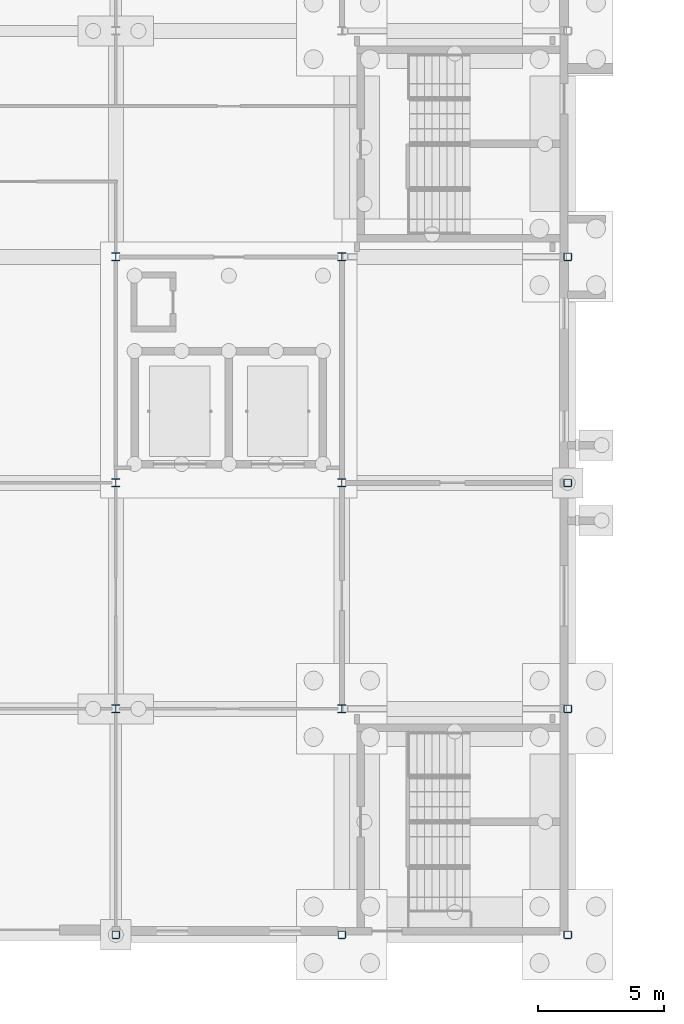
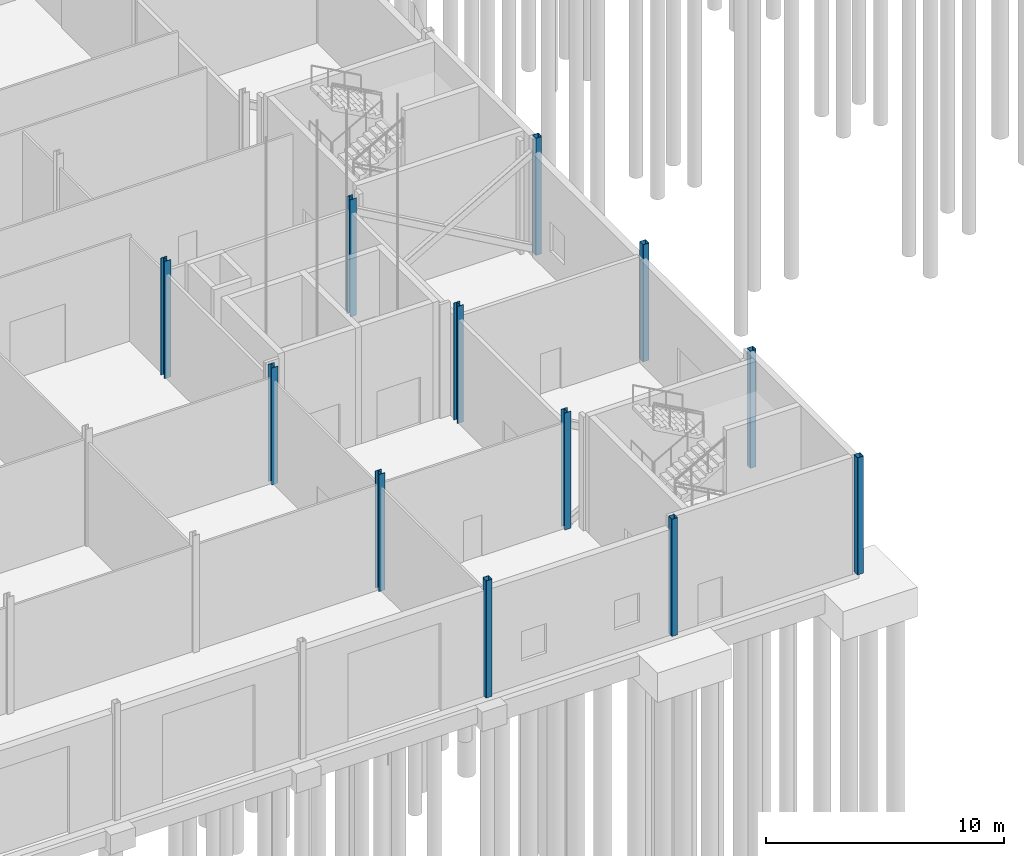
# One storey, part 20 of 139: 12 columns.
"""IFC4 building model written with IfcOpenShell, lengths in metres."""

from ifc_helpers import new_model, si_unit, direction, frame, origin, origin_2d, place, context, subcontext, project, spatial, hollow_rectangle, i_section, extrude, material, material_profile, profile_set, type_object, element, save


model = new_model("IFC4")

# Units and contexts
model_context = context("Model", 3, precision=1e-05, world=origin(), true_north=direction((0.0, 1.0)))
body_context = subcontext(model_context, "Body", "Model", "MODEL_VIEW")
ifc_project = project(units=[si_unit("LENGTHUNIT", "METRE"), si_unit("AREAUNIT", "SQUARE_METRE"), si_unit("VOLUMEUNIT", "CUBIC_METRE"), si_unit("PLANEANGLEUNIT", "RADIAN"), si_unit("MASSUNIT", "GRAM", prefix="KILO")], contexts=[model_context])

# Site, building, storey
site_placement = place(None, origin())
site = spatial("IfcSite", under=ifc_project, at=site_placement, CompositionType="ELEMENT")
building_placement = place(site_placement, origin())
building = spatial("IfcBuilding", under=site, at=building_placement, Name="Shorebreak Coast Museum", CompositionType="ELEMENT")
storey_placement = place(building_placement, origin())
storey = spatial("IfcBuildingStorey", under=building, at=storey_placement, Name="L00", CompositionType="ELEMENT", Elevation=0.0)

# Columns
ifc_material_1 = material(Name="Steel Grade C450L0", Category="steel")
ifc_material_profile_1 = material_profile(ifc_material_1, hollow_rectangle(XDim=0.300048828125, YDim=0.300048828125, WallThickness=0.012451171875, InnerFilletRadius=0.018798828125, OuterFilletRadius=0.03125, at=origin_2d()), Name="300x300x12.5 SHS")
ifc_profile_set_1 = profile_set([ifc_material_profile_1], Name="Steel Grade C450L0")
column_type_1 = type_object("IfcColumnType", Name="Column 300x300x12.5 SHS", PredefinedType="COLUMN", material=ifc_profile_set_1)
for number, where, z_axis, x_axis, name in (
    (1, (99.0, 0.0, 0.0), (0.0, 0.0, 1.0), (1.0, 0.0, 0.0), "Column L00 12A"),
    (2, (108.0, 0.0, 0.0), (0.0, 0.0, 1.0), (1.0, 0.0, 0.0), "Column L00 13A"),
    (3, (117.0, 0.0, 0.0), (0.0, 0.0, 1.0), (1.0, 0.0, 0.0), "Column L00 14A"),
    (4, (117.0, 9.0, 0.0), (0.0, 0.0, 1.0), (1.0, 0.0, 0.0), "Column L00 14B"),
    (5, (117.0, 18.0, 0.0), (0.0, 0.0, 1.0), (1.0, 0.0, 0.0), "Column L00 14C"),
    (6, (117.0, 27.0, 0.0), (0.0, 0.0, 1.0), (1.0, 0.0, 0.0), "Column L00 14D"),
):
    element("IfcColumn", number, at=place(storey_placement, frame(where, z_axis=z_axis, x_axis=x_axis)), inside=storey, type_object=column_type_1, Name=name, PredefinedType="COLUMN", context=body_context, shape_type="SweptSolid", body=[
        extrude(hollow_rectangle(XDim=0.300048828125, YDim=0.300048828125, WallThickness=0.012451171875, InnerFilletRadius=0.018798828125, OuterFilletRadius=0.03125, at=origin_2d()), origin(), (0.0, 0.0, 1.0), 6.0),
    ])
ifc_material_2 = material(Name="Steel Grade 300", Category="steel")
ifc_material_profile_2 = material_profile(ifc_material_2, i_section(OverallWidth=0.30908203125, OverallDepth=0.320556640625, WebThickness=0.013916015625, FlangeThickness=0.021728515625, FilletRadius=0.0166015625, at=origin_2d()), Name="310UC137")
ifc_profile_set_2 = profile_set([ifc_material_profile_2], Name="Steel Grade 300")
column_type_2 = type_object("IfcColumnType", Name="Column 310UC137", PredefinedType="COLUMN", material=ifc_profile_set_2)
for number, where, z_axis, x_axis, name in (
    (7, (99.0, 9.0, 0.0), (0.0, 0.0, 1.0), (1.0, 0.0, 0.0), "Column L00 12B"),
    (8, (108.0, 9.0, 0.0), (0.0, 0.0, 1.0), (1.0, 0.0, 0.0), "Column L00 13B"),
    (9, (99.0, 18.0, 0.0), (0.0, 0.0, 1.0), (1.0, 0.0, 0.0), "Column L00 12C"),
    (10, (108.0, 18.0, 0.0), (0.0, 0.0, 1.0), (1.0, 0.0, 0.0), "Column L00 13C"),
    (11, (99.0, 27.0, 0.0), (0.0, 0.0, 1.0), (1.0, 0.0, 0.0), "Column L00 12D"),
    (12, (108.0, 27.0, 0.0), (0.0, 0.0, 1.0), (1.0, 0.0, 0.0), "Column L00 13D"),
):
    element("IfcColumn", number, at=place(storey_placement, frame(where, z_axis=z_axis, x_axis=x_axis)), inside=storey, type_object=column_type_2, Name=name, PredefinedType="COLUMN", context=body_context, shape_type="SweptSolid", body=[
        extrude(i_section(OverallWidth=0.30908203125, OverallDepth=0.320556640625, WebThickness=0.013916015625, FlangeThickness=0.021728515625, FilletRadius=0.0166015625, at=origin_2d()), origin(), (0.0, 0.0, 1.0), 6.0),
    ])

save(model, "model.ifc")
